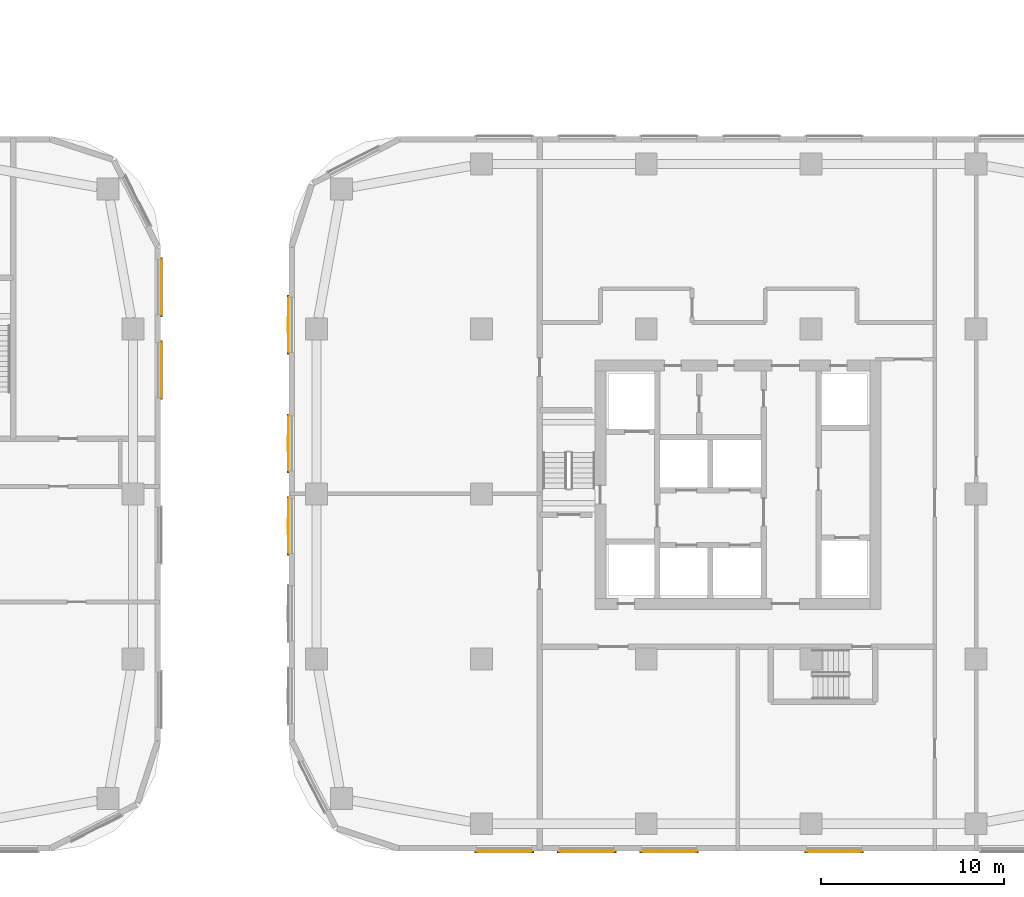
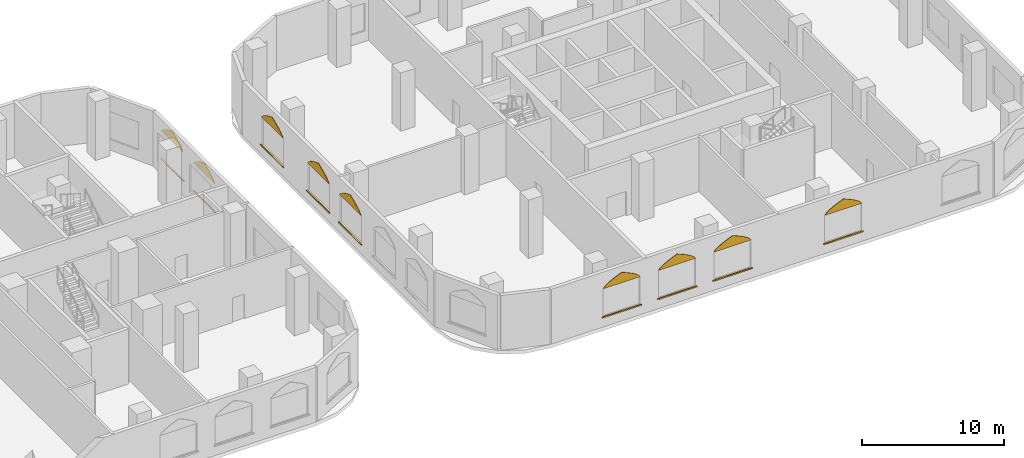
# One storey, part 29 of 31: 18 coverings.
"""IFC4 building model written with IfcOpenShell, lengths in metres."""

from ifc_helpers import new_model, si_unit, direction, frame, origin, origin_2d, place, context, subcontext, project, spatial, polyline, rectangle, outline, extrude, material, layer, layer_set, type_object, element, save


model = new_model("IFC4")

# Units and contexts
model_context = context("Model", 3, precision=1e-05, world=origin(), true_north=direction((0.0, 1.0)))
body_context = subcontext(model_context, "Body", "Model", "MODEL_VIEW")
ifc_project = project(units=[si_unit("LENGTHUNIT", "METRE"), si_unit("AREAUNIT", "SQUARE_METRE"), si_unit("VOLUMEUNIT", "CUBIC_METRE"), si_unit("PLANEANGLEUNIT", "RADIAN"), si_unit("MASSUNIT", "GRAM", prefix="KILO")], contexts=[model_context])

# Site, building, storey
site_placement = place(None, origin())
site = spatial("IfcSite", under=ifc_project, at=site_placement, CompositionType="ELEMENT")
building_placement = place(site_placement, origin())
building = spatial("IfcBuilding", under=site, at=building_placement, Name="Ogive Portal Towers", CompositionType="ELEMENT")
storey_placement = place(building_placement, frame((0.0, 0.0, 13.5)))
storey = spatial("IfcBuildingStorey", under=building, at=storey_placement, Name="L02", CompositionType="ELEMENT", Elevation=13.5)

# Coverings
ifc_material = material(Name="Limestone cladding on lightweight block wall", Category="masonry")
ifc_layer_1 = layer(ifc_material, 0.0400390625)
ifc_layer_set_1 = layer_set([ifc_layer_1], Name="LANCET HEAD STONE")
covering_type_1 = type_object("IfcCoveringType", Name="LANCET HEAD STONE", PredefinedType="CLADDING", material=ifc_layer_set_1)
covering_1_placement = place(storey_placement, frame((105.0, 35.75, 3.300048828125), z_axis=(-0.999950056531, 0.0, 0.009994220538), x_axis=(0.0, 1.0, 0.0)))
element("IfcCovering", 1, at=covering_1_placement, inside=storey, type_object=covering_type_1, Name="Lancet head", PredefinedType="CLADDING", context=body_context, shape_type="SweptSolid", body=[
    extrude(outline(polyline([(0.0, 0.0), (3.0, 0.0), (2.93359375, -0.11255540702230543), (2.8125, -0.22486424561759202), (2.655517578125, -0.3374196526398974), (2.4697265625, -0.4499726196669543), (2.2587890625, -0.5625280266892596), (2.025634765625, -0.6750834337115651), (1.772216796875, -0.7873922723068517), (1.5, -0.8999476793291572), (1.227783203125, -0.7873922723068517), (0.974365234375, -0.6750834337115651), (0.7412109375, -0.5625280266892596), (0.5302734375, -0.4499726196669543), (0.344482421875, -0.3374196526398974), (0.1875, -0.22486424561759202), (0.06640625, -0.11255540702230543), (0.0, 0.0)])), origin(), (0.0, 0.0, -1.0), 0.0400390625),
])
covering_2_placement = place(storey_placement, frame((105.0, 40.273681640625, 3.300048828125), z_axis=(-0.99995005646, 0.0, 0.009994227635), x_axis=(0.0, 1.0, 0.0)))
element("IfcCovering", 2, at=covering_2_placement, inside=storey, type_object=covering_type_1, Name="Lancet head", PredefinedType="CLADDING", context=body_context, shape_type="SweptSolid", body=[
    extrude(outline(polyline([(0.0, 0.0), (3.0, 0.0), (2.933837890625, -0.11255540702298532), (2.8125, -0.22486424561723664), (2.655517578125, -0.33741965264022195), (2.4697265625, -0.44997261966622615), (2.259033203125, -0.5625280266892115), (2.02587890625, -0.6750834337121968), (1.7724609375, -0.7873922723064481), (1.5, -0.8999476793294334), (1.227783203125, -0.7873922723064481), (0.974365234375, -0.6750834337121968), (0.7412109375, -0.5625280266892115), (0.530517578125, -0.44997261966622615), (0.344482421875, -0.33741965264022195), (0.1875, -0.22486424561723664), (0.06640625, -0.11255540702298532), (0.0, 0.0)])), origin(), (0.0, 0.0, -1.0), 0.0400390625),
])
for number, where, z_axis, x_axis, name in (
    (3, (122.25, 11.0, 3.300048828125), (0.0, 0.999950056531, 0.009994220538), (1.0, 0.0, 0.0), "Lancet head"),
    (4, (126.75, 11.0, 3.300048828125), (0.0, 0.999950056531, 0.009994220538), (1.0, 0.0, 0.0), "Lancet head"),
    (5, (131.25, 11.0, 3.300048828125), (0.0, 0.999950056531, 0.009994220538), (1.0, 0.0, 0.0), "Lancet head"),
    (6, (140.25, 11.0, 3.300048828125), (0.0, 0.999950056531, 0.009994220538), (1.0, 0.0, 0.0), "Lancet head"),
):
    element("IfcCovering", number, at=place(storey_placement, frame(where, z_axis=z_axis, x_axis=x_axis)), inside=storey, type_object=covering_type_1, Name=name, PredefinedType="CLADDING", context=body_context, shape_type="SweptSolid", body=[
        extrude(outline(polyline([(0.0, 0.0), (3.0, 0.0), (2.93359375, -0.11255540702230543), (2.8125, -0.22486424561759202), (2.655517578125, -0.3374196526398974), (2.4697265625, -0.4499726196669543), (2.2587890625, -0.5625280266892596), (2.025634765625, -0.6750834337115651), (1.772216796875, -0.7873922723068517), (1.5, -0.8999476793291572), (1.227783203125, -0.7873922723068517), (0.974365234375, -0.6750834337115651), (0.7412109375, -0.5625280266892596), (0.5302734375, -0.4499726196669543), (0.344482421875, -0.3374196526398974), (0.1875, -0.22486424561759202), (0.06640625, -0.11255540702230543), (0.0, 0.0)])), origin(), (0.0, 0.0, -1.0), 0.0400390625),
    ])
covering_3_placement = place(storey_placement, frame((112.0, 41.226318359375, 3.300048828125), z_axis=(0.99995005646, 0.0, 0.009994227635), x_axis=(0.0, -1.0, 0.0)))
element("IfcCovering", 7, at=covering_3_placement, inside=storey, type_object=covering_type_1, Name="Lancet head", PredefinedType="CLADDING", context=body_context, shape_type="SweptSolid", body=[
    extrude(outline(polyline([(0.0, 0.0), (3.0, 0.0), (2.933837890625, -0.11255540702298532), (2.8125, -0.22486424561723664), (2.655517578125, -0.33741965264022195), (2.4697265625, -0.44997261966622615), (2.259033203125, -0.5625280266892115), (2.02587890625, -0.6750834337121968), (1.7724609375, -0.7873922723064481), (1.5, -0.8999476793294334), (1.227783203125, -0.7873922723064481), (0.974365234375, -0.6750834337121968), (0.7412109375, -0.5625280266892115), (0.530517578125, -0.44997261966622615), (0.344482421875, -0.33741965264022195), (0.1875, -0.22486424561723664), (0.06640625, -0.11255540702298532), (0.0, 0.0)])), origin(), (0.0, 0.0, -1.0), 0.0400390625),
])
for number, where, z_axis, x_axis, name in (
    (8, (112.0, 34.75, 3.300048828125), (0.999950056531, 0.0, 0.009994220538), (0.0, -1.0, 0.0), "Lancet head"),
    (9, (112.0, 30.25, 3.300048828125), (0.999950056531, 0.0, 0.009994220538), (0.0, -1.0, 0.0), "Lancet head"),
):
    element("IfcCovering", number, at=place(storey_placement, frame(where, z_axis=z_axis, x_axis=x_axis)), inside=storey, type_object=covering_type_1, Name=name, PredefinedType="CLADDING", context=body_context, shape_type="SweptSolid", body=[
        extrude(outline(polyline([(0.0, 0.0), (3.0, 0.0), (2.93359375, -0.11255540702230543), (2.8125, -0.22486424561759202), (2.655517578125, -0.3374196526398974), (2.4697265625, -0.4499726196669543), (2.2587890625, -0.5625280266892596), (2.025634765625, -0.6750834337115651), (1.772216796875, -0.7873922723068517), (1.5, -0.8999476793291572), (1.227783203125, -0.7873922723068517), (0.974365234375, -0.6750834337115651), (0.7412109375, -0.5625280266892596), (0.5302734375, -0.4499726196669543), (0.344482421875, -0.3374196526398974), (0.1875, -0.22486424561759202), (0.06640625, -0.11255540702230543), (0.0, 0.0)])), origin(), (0.0, 0.0, -1.0), 0.0400390625),
    ])
ifc_layer_2 = layer(ifc_material, 0.080078125)
ifc_layer_set_2 = layer_set([ifc_layer_2], Name="STONE SILL 80")
covering_type_2 = type_object("IfcCoveringType", Name="STONE SILL 80", PredefinedType="CLADDING", material=ifc_layer_set_2)
for number, where, z_axis, x_axis, name in (
    (10, (105.0400390625, 37.25, 0.840087890625), (0.0, 0.0, 1.0), (0.0, 1.0, 0.0), "Stone sill"),
    (11, (105.0400390625, 41.773681640625, 0.840087890625), (0.0, 0.0, 1.0), (0.0, 1.0, 0.0), "Stone sill"),
    (12, (123.75, 10.9599609375, 0.840087890625), (0.0, 0.0, 1.0), (1.0, 0.0, 0.0), "Stone sill"),
    (13, (128.25, 10.9599609375, 0.840087890625), (0.0, 0.0, 1.0), (1.0, 0.0, 0.0), "Stone sill"),
    (14, (132.75, 10.9599609375, 0.840087890625), (0.0, 0.0, 1.0), (1.0, 0.0, 0.0), "Stone sill"),
    (15, (141.75, 10.9599609375, 0.840087890625), (0.0, 0.0, 1.0), (1.0, 0.0, 0.0), "Stone sill"),
    (16, (111.9599609375, 39.726318359375, 0.840087890625), (0.0, 0.0, 1.0), (0.0, -1.0, 0.0), "Stone sill"),
    (17, (111.9599609375, 33.25, 0.840087890625), (0.0, 0.0, 1.0), (0.0, -1.0, 0.0), "Stone sill"),
    (18, (111.9599609375, 28.75, 0.840087890625), (0.0, 0.0, 1.0), (0.0, -1.0, 0.0), "Stone sill"),
):
    element("IfcCovering", number, at=place(storey_placement, frame(where, z_axis=z_axis, x_axis=x_axis)), inside=storey, type_object=covering_type_2, Name=name, PredefinedType="CLADDING", context=body_context, shape_type="SweptSolid", body=[
        extrude(rectangle(XDim=3.199951171875, YDim=0.080078125, at=origin_2d()), origin(), (0.0, 0.0, 1.0), 0.06005859375),
    ])

save(model, "model.ifc")
